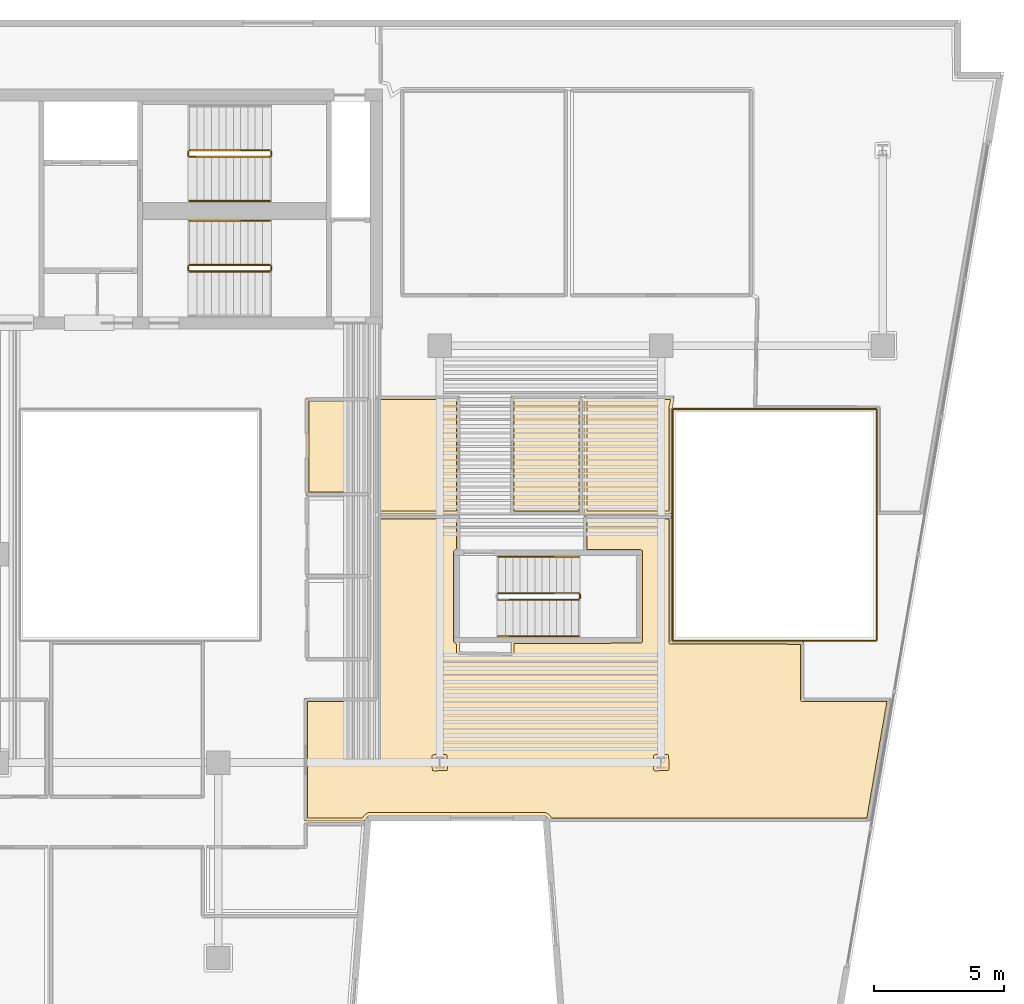
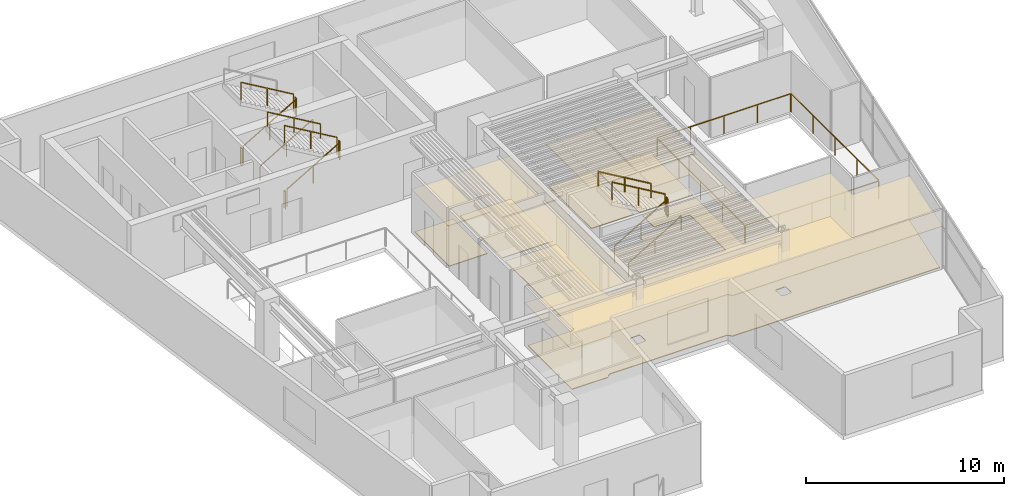
# One storey, part 8 of 9: 19 railings, 10 coverings.
"""IFC4 building model written with IfcOpenShell, lengths in metres."""

import ifcopenshell
import ifcopenshell.guid

model = None  # the IFC model being written
_history = None  # IfcOwnerHistory: only IFC2X3 demands one
_inside = {}  # id of a spatial element -> (the spatial element, [elements in it])
_under = {}  # id of a project, library or spatial element -> (it, [spatial elements below it])
_declared = {}  # id of a project -> (the project, [libraries it declares])
_typed = {}  # id of a type object -> (the type object, [elements of that type])
_made_of = {}  # id of a material, layer set ... -> (it, [elements and type objects made of it])


def new_model(schema):
    """Start an empty IFC model of exactly this schema.

    Asked for "IFC4X3", IfcOpenShell would pick the latest addendum, in which some entities
    have other attributes; the version numbers below select the first issue.
    IFC2X3 requires an IfcOwnerHistory on every rooted entity: one is made here for all.
    """
    global model, _history
    if schema == "IFC4X3":
        model = ifcopenshell.file(schema_version=(4, 3, 0, 0))
    else:
        model = ifcopenshell.file(schema=schema)
    _inside.clear()
    _under.clear()
    _declared.clear()
    _typed.clear()
    _made_of.clear()
    _history = None
    if model.schema == "IFC2X3":
        org = make("IfcOrganization", Name="unknown")
        user = make(
            "IfcPersonAndOrganization",
            ThePerson=make("IfcPerson", FamilyName="unknown"),
            TheOrganization=org,
        )
        app = make(
            "IfcApplication",
            ApplicationDeveloper=org,
            Version="unknown",
            ApplicationFullName="unknown",
            ApplicationIdentifier="unknown",
        )
        _history = make(
            "IfcOwnerHistory",
            OwningUser=user,
            OwningApplication=app,
            ChangeAction="ADDED",
            CreationDate=0,
        )
    return model


def make(cls, **values):
    """One entity of the class cls with the attributes given. An attribute that is None is left unset."""
    return model.create_entity(
        cls, **{name: value for name, value in values.items() if value is not None}
    )


def rooted(cls, **values):
    """An entity with a GlobalId (a new one), such as an element, a storey or a relation."""
    return make(cls, GlobalId=ifcopenshell.guid.new(), OwnerHistory=_history, **values)


def si_unit(unit_type, name, prefix=None):
    """IfcSIUnit, for example si_unit("LENGTHUNIT", "METRE", prefix="MILLI")."""
    return make("IfcSIUnit", UnitType=unit_type, Prefix=prefix, Name=name)


def assignment(units):
    """IfcUnitAssignment: the units of a project."""
    return None if units is None else make("IfcUnitAssignment", Units=units)


def point(xyz):
    """IfcCartesianPoint."""
    return None if xyz is None else make("IfcCartesianPoint", Coordinates=xyz)


def direction(xyz):
    """IfcDirection."""
    return None if xyz is None else make("IfcDirection", DirectionRatios=xyz)


def frame(location, z_axis=None, x_axis=None):
    """IfcAxis2Placement3D, a coordinate frame: its origin and axes. An axis left out is left unset."""
    return make(
        "IfcAxis2Placement3D",
        Location=point(location),
        Axis=direction(z_axis),
        RefDirection=direction(x_axis),
    )


def frame_2d(location, x_axis=None):
    """IfcAxis2Placement2D, a coordinate frame in the plane: its origin and x axis."""
    return make(
        "IfcAxis2Placement2D", Location=point(location), RefDirection=direction(x_axis)
    )


def origin():
    """The frame at (0, 0, 0) with its axes left unset."""
    return frame((0.0, 0.0, 0.0))


def origin_2d():
    """The frame at (0, 0) in the plane with its x axis left unset."""
    return frame_2d((0.0, 0.0))


def place(relative_to, where):
    """IfcLocalPlacement: puts the frame where relative to a parent placement (None: the world)."""
    return make(
        "IfcLocalPlacement", PlacementRelTo=relative_to, RelativePlacement=where
    )


def context(
    kind, dimensions, precision=None, world=None, true_north=None, identifier=None
):
    """IfcGeometricRepresentationContext, for example the 3D "Model" context."""
    return make(
        "IfcGeometricRepresentationContext",
        ContextIdentifier=identifier,
        ContextType=kind,
        CoordinateSpaceDimension=dimensions,
        Precision=precision,
        WorldCoordinateSystem=world,
        TrueNorth=true_north,
    )


def subcontext(parent, identifier, kind, view, scale=None):
    """IfcGeometricRepresentationSubContext, for example "Body" below "Model"."""
    return make(
        "IfcGeometricRepresentationSubContext",
        ContextIdentifier=identifier,
        ContextType=kind,
        ParentContext=parent,
        TargetScale=scale,
        TargetView=view,
    )


def project(units=None, contexts=None):
    """IfcProject with its units and contexts."""
    return rooted(
        "IfcProject",
        Name="project",
        RepresentationContexts=contexts,
        UnitsInContext=assignment(units),
    )


def spatial(cls, under=None, at=None, **own):
    """A site, building, storey or space (cls), placed at a placement, below another one or the project."""
    s = rooted(cls, ObjectPlacement=at, **own)
    if under is not None:
        _under.setdefault(under.id(), (under, []))[1].append(s)
    return s


def polyline(points):
    """IfcPolyline through the points."""
    return make("IfcPolyline", Points=[point(p) for p in points])


def profile(cls, at=None, kind="AREA", **sizes):
    """A parametric profile (cls). Its sizes go by their IFC names, for example OverallWidth=200.0."""
    return make(cls, ProfileType=kind, Position=at, **sizes)


def rectangle(**sizes):
    """IfcRectangleProfileDef."""
    return profile("IfcRectangleProfileDef", **sizes)


def outline(outer, holes=None, kind="AREA"):
    """IfcArbitraryClosedProfileDef: a profile drawn as a closed curve; with holes, ...WithVoids."""
    if holes is None:
        return make("IfcArbitraryClosedProfileDef", ProfileType=kind, OuterCurve=outer)
    return make(
        "IfcArbitraryProfileDefWithVoids",
        ProfileType=kind,
        OuterCurve=outer,
        InnerCurves=holes,
    )


def extrude(swept, where, along, depth):
    """IfcExtrudedAreaSolid: the profile swept, set in the frame where, extruded along a direction by depth."""
    return make(
        "IfcExtrudedAreaSolid",
        SweptArea=swept,
        Position=where,
        ExtrudedDirection=direction(along),
        Depth=depth,
    )


def shape(context_of_items, identifier, shape_type, items):
    """IfcShapeRepresentation: the items that make up one representation, for example the "Body"."""
    return make(
        "IfcShapeRepresentation",
        ContextOfItems=context_of_items,
        RepresentationIdentifier=identifier,
        RepresentationType=shape_type,
        Items=items,
    )


def material(Name=None, Category=None):
    """IfcMaterial."""
    return make("IfcMaterial", Name=Name, Category=Category)


def layer(
    of_material, thickness, ventilated=None, Name=None, Category=None, Priority=None
):
    """IfcMaterialLayer: one layer of a wall or slab, of a material (None: an air gap)."""
    return make(
        "IfcMaterialLayer",
        Material=of_material,
        LayerThickness=thickness,
        IsVentilated=ventilated,
        Name=Name,
        Category=Category,
        Priority=Priority,
    )


def layer_set(layers, Name=None):
    """IfcMaterialLayerSet."""
    return make("IfcMaterialLayerSet", MaterialLayers=layers, LayerSetName=Name)


def made_of(thing, what):
    """Note that an element or type object is made of a material, layer set ...; save() writes the relation."""
    if what is not None:
        _made_of.setdefault(what.id(), (what, []))[1].append(thing)
    return thing


def type_object(cls, material=None, **own):
    """A type object (cls), such as IfcWallType, which elements share."""
    return made_of(rooted(cls, **own), material)


def element(
    cls,
    number,
    at=None,
    inside=None,
    cuts=None,
    type_object=None,
    material=None,
    context=None,
    identifier="Body",
    shape_type=None,
    held_by="IfcProductDefinitionShape",
    body=None,
    shapes=None,
    **own,
):
    """One element of the class cls, such as IfcWall. Its Tag is "e" and its number.

    at: its placement. inside: the storey or other place that contains it. cuts: it is an
    opening in that element (IfcRelVoidsElement). A single representation is given by context,
    identifier, shape_type and body (its items); several are given by shapes. held_by: the class
    of the entity that holds the representations. save() writes the other relations.
    """
    e = rooted(cls, Tag="e%d" % number, ObjectPlacement=at, **own)
    if body is not None:
        shapes = [shape(context, identifier, shape_type, body)]
    if shapes is not None:
        e.Representation = make(held_by, Representations=shapes)
    if inside is not None:
        _inside.setdefault(inside.id(), (inside, []))[1].append(e)
    if cuts is not None:
        rooted(
            "IfcRelVoidsElement", RelatingBuildingElement=cuts, RelatedOpeningElement=e
        )
    if type_object is not None:
        _typed.setdefault(type_object.id(), (type_object, []))[1].append(e)
    return made_of(e, material)


def aggregate(whole, parts):
    """IfcRelAggregates: a whole, such as a stair, and the parts it consists of."""
    return rooted("IfcRelAggregates", RelatingObject=whole, RelatedObjects=parts)


def save(model, path):
    """Write the relations noted so far, then the file.

    IfcRelAggregates (storeys below a building ...), IfcRelContainedInSpatialStructure (elements
    in a storey), IfcRelDefinesByType, IfcRelAssociatesMaterial and IfcRelDeclares: one each for
    every whole, place, type object, material and project.
    """
    for whole, parts in _under.values():
        aggregate(whole, parts)
    for where, things in _inside.values():
        rooted(
            "IfcRelContainedInSpatialStructure",
            RelatedElements=things,
            RelatingStructure=where,
        )
    for kind, things in _typed.values():
        rooted("IfcRelDefinesByType", RelatedObjects=things, RelatingType=kind)
    for what, things in _made_of.values():
        rooted("IfcRelAssociatesMaterial", RelatedObjects=things, RelatingMaterial=what)
    for by, libraries in _declared.values():
        rooted("IfcRelDeclares", RelatingContext=by, RelatedDefinitions=libraries)
    model.write(path)


model = new_model("IFC4")

# Units and contexts
model_context = context("Model", 3, precision=1e-05, world=origin(), true_north=direction((0.0, 1.0)))
body_context = subcontext(model_context, "Body", "Model", "MODEL_VIEW")
ifc_project = project(units=[si_unit("LENGTHUNIT", "METRE"), si_unit("AREAUNIT", "SQUARE_METRE"), si_unit("VOLUMEUNIT", "CUBIC_METRE"), si_unit("PLANEANGLEUNIT", "RADIAN"), si_unit("MASSUNIT", "GRAM", prefix="KILO")], contexts=[model_context])

# Site, building, storey
site_placement = place(None, origin())
site = spatial("IfcSite", under=ifc_project, at=site_placement, CompositionType="ELEMENT")
building_placement = place(site_placement, origin())
building = spatial("IfcBuilding", under=site, at=building_placement, Name="Caeloran Harvest Quay", CompositionType="ELEMENT")
storey_placement = place(building_placement, frame((0.0, 0.0, 227.199951171875)))
storey = spatial("IfcBuildingStorey", under=building, at=storey_placement, Name="L54", CompositionType="ELEMENT", Elevation=227.199951171875)

# Coverings
ifc_material_1 = material(Name="Perforated Mineral-Fibre Acoustic Ceiling Tile", Category="ceiling")
ifc_layer_1 = layer(ifc_material_1, 0.0400390625, Name="Perforated Mineral-Fibre Acoustic Ceiling Tile")
ifc_layer_set_1 = layer_set([ifc_layer_1], Name="Perforated Mineral-Fibre Acoustic Ceiling Tile")
covering_type_1 = type_object("IfcCoveringType", Name="COV-CEILING-ACOUSTIC", PredefinedType="CEILING", material=ifc_layer_set_1)
covering_1_placement = place(storey_placement, frame((0.0, 0.0, 2.60009765625)))
element("IfcCovering", 1, at=covering_1_placement, inside=storey, type_object=covering_type_1, Name="L54 Male Washroom WC Acoustic Ceiling", PredefinedType="CEILING", context=body_context, shape_type="SweptSolid", body=[
    extrude(outline(polyline([(22.840087890625, 28.989990234375), (22.840087890625, 25.260009765625), (20.360107421875, 25.260009765625), (20.360107421875, 28.989990234375), (22.840087890625, 28.989990234375)])), origin(), (0.0, 0.0, 1.0), 0.0400390625),
])
covering_2_placement = place(storey_placement, frame((0.0, 0.0, 2.60009765625)))
element("IfcCovering", 2, at=covering_2_placement, inside=storey, type_object=covering_type_1, Name="Founder Fireside Salon Lounge Acoustic Ceiling", PredefinedType="CEILING", context=body_context, shape_type="SweptSolid", body=[
    extrude(outline(polyline([(33.159912109375, 23.06005859375), (31.0400390625, 23.06005859375), (31.0400390625, 24.4599609375), (34.409912109375, 24.4599609375), (34.409912109375, 19.659912109375), (39.4599609375, 19.659912109375), (39.4599609375, 17.4599609375), (42.801025390625, 17.4599609375), (41.993408203125, 12.760009765625), (29.727294921875, 12.760009765625), (29.64111328125, 12.887451171875), (29.54150390625, 12.969970703125), (22.78515625, 12.969970703125), (22.685302734375, 12.887451171875), (22.59912109375, 12.760009765625), (20.31005859375, 12.760009765625), (20.31005859375, 17.4599609375), (23.0400390625, 17.4599609375), (23.0400390625, 24.4599609375), (26.260009765625, 24.4599609375), (26.260009765625, 23.145751953125), (26.139892578125, 23.05078125), (26.139892578125, 19.69921875), (26.260009765625, 19.604248046875), (26.260009765625, 19.239501953125), (28.239990234375, 19.210693359375), (28.239990234375, 19.68994140625), (33.159912109375, 19.68994140625), (33.159912109375, 23.06005859375)])), origin(), (0.0, 0.0, 1.0), 0.0400390625),
])
covering_3_placement = place(storey_placement, frame((0.0, 0.0, 2.60009765625)))
element("IfcCovering", 3, at=covering_3_placement, inside=storey, type_object=covering_type_1, Name="Refreshment Dining Kitchen Acoustic Ceiling", PredefinedType="CEILING", context=body_context, shape_type="SweptSolid", body=[
    extrude(outline(polyline([(23.0400390625, 29.06005859375), (26.260009765625, 29.06005859375), (26.260009765625, 24.5400390625), (23.0400390625, 24.5400390625), (23.0400390625, 29.06005859375)])), origin(), (0.0, 0.0, 1.0), 0.0400390625),
])
covering_4_placement = place(storey_placement, frame((0.0, 0.0, 2.60009765625)))
element("IfcCovering", 4, at=covering_4_placement, inside=storey, type_object=covering_type_1, Name="Secure Vault Laboratory Acoustic Ceiling", PredefinedType="CEILING", context=body_context, shape_type="SweptSolid", body=[
    extrude(outline(polyline([(28.239990234375, 24.5400390625), (28.239990234375, 29.06005859375), (30.9599609375, 29.06005859375), (30.9599609375, 24.5400390625), (28.239990234375, 24.5400390625)])), origin(), (0.0, 0.0, 1.0), 0.0400390625),
])
covering_5_placement = place(storey_placement, frame((0.0, 0.0, 2.60009765625)))
element("IfcCovering", 5, at=covering_5_placement, inside=storey, type_object=covering_type_1, Name="Clean-Tech Venture Studio 9 Acoustic Ceiling", PredefinedType="CEILING", context=body_context, shape_type="SweptSolid", body=[
    extrude(outline(polyline([(34.409912109375, 28.592041015625), (34.409912109375, 24.5400390625), (31.0400390625, 24.5400390625), (31.0400390625, 29.06005859375), (34.49853515625, 29.06005859375), (34.429931640625, 28.596923828125), (34.409912109375, 28.592041015625)])), origin(), (0.0, 0.0, 1.0), 0.0400390625),
])
ifc_material_2 = material(Name="Calcium-Sulphate Raised Access Floor and Terrazzo Finish", Category="flooring")
ifc_layer_2 = layer(ifc_material_2, 0.050048828125, Name="Calcium-Sulphate Raised Access Floor and Terrazzo Finish")
ifc_layer_set_2 = layer_set([ifc_layer_2], Name="Calcium-Sulphate Raised Access Floor and Terrazzo Finish")
covering_type_2 = type_object("IfcCoveringType", Name="COV-FLOOR-RAISED", PredefinedType="FLOORING", material=ifc_layer_set_2)
covering_6_placement = place(storey_placement, origin())
element("IfcCovering", 6, at=covering_6_placement, inside=storey, type_object=covering_type_2, Name="L54 Male Washroom WC Raised Finish Flooring", PredefinedType="FLOORING", context=body_context, shape_type="SweptSolid", body=[
    extrude(outline(polyline([(22.719970703125, 28.8701171875), (22.719970703125, 25.3798828125), (20.47998046875, 25.3798828125), (20.47998046875, 28.8701171875), (22.719970703125, 28.8701171875)])), origin(), (0.0, 0.0, 1.0), 0.050048828125),
])
covering_7_placement = place(storey_placement, origin())
element("IfcCovering", 7, at=covering_7_placement, inside=storey, type_object=covering_type_2, Name="Founder Fireside Salon Lounge Raised Finish Flooring", PredefinedType="FLOORING", context=body_context, shape_type="SweptSolid", body=[
    extrude(outline(polyline([(22.54296875, 12.8798828125), (20.429931640625, 12.8798828125), (20.429931640625, 17.340087890625), (23.080078125, 17.340087890625), (23.15380859375, 17.389404296875), (23.159912109375, 24.340087890625), (26.139892578125, 24.340087890625), (26.139892578125, 23.20361328125), (26.038818359375, 23.12158203125), (26.02001953125, 23.070068359375), (26.02001953125, 19.679931640625), (26.038818359375, 19.62841796875), (26.139892578125, 19.54638671875), (26.140380859375, 19.192138671875), (26.19580078125, 19.123779296875), (28.294677734375, 19.09130859375), (28.359619140625, 19.162109375), (28.360107421875, 19.570068359375), (33.244384765625, 19.58349609375), (33.280029296875, 19.64990234375), (33.27392578125, 23.130615234375), (33.199951171875, 23.179931640625), (31.159912109375, 23.179931640625), (31.159912109375, 24.340087890625), (34.2900390625, 24.340087890625), (34.2900390625, 19.6201171875), (34.319091796875, 19.55810546875), (39.340087890625, 19.5400390625), (39.340087890625, 17.419921875), (39.37548828125, 17.353515625), (42.65869140625, 17.340087890625), (41.89208984375, 12.8798828125), (29.783447265625, 12.8798828125), (29.709716796875, 12.990478515625), (29.559326171875, 13.090087890625), (22.76708984375, 13.090087890625), (22.616943359375, 12.990478515625), (22.54296875, 12.8798828125)]), holes=[polyline([(34.302490234375, 14.754150390625), (34.284912109375, 15.288818359375), (34.230712890625, 15.317626953125), (33.726318359375, 15.2998046875), (33.697021484375, 15.238037109375), (33.715087890625, 14.711181640625), (33.777099609375, 14.681884765625), (34.273681640625, 14.7001953125), (34.302490234375, 14.754150390625)]), polyline([(25.802490234375, 14.754150390625), (25.784912109375, 15.288818359375), (25.730712890625, 15.317626953125), (25.226318359375, 15.2998046875), (25.197021484375, 15.238037109375), (25.215087890625, 14.711181640625), (25.277099609375, 14.681884765625), (25.773681640625, 14.7001953125), (25.802490234375, 14.754150390625)])]), origin(), (0.0, 0.0, 1.0), 0.050048828125),
])
covering_8_placement = place(storey_placement, origin())
element("IfcCovering", 8, at=covering_8_placement, inside=storey, type_object=covering_type_2, Name="Refreshment Dining Kitchen Raised Finish Flooring", PredefinedType="FLOORING", context=body_context, shape_type="SweptSolid", body=[
    extrude(outline(polyline([(23.159912109375, 28.93994140625), (26.139892578125, 28.93994140625), (26.139892578125, 24.659912109375), (23.159912109375, 24.659912109375), (23.159912109375, 28.93994140625)])), origin(), (0.0, 0.0, 1.0), 0.050048828125),
])
covering_9_placement = place(storey_placement, origin())
element("IfcCovering", 9, at=covering_9_placement, inside=storey, type_object=covering_type_2, Name="Secure Vault Laboratory Raised Finish Flooring", PredefinedType="FLOORING", context=body_context, shape_type="SweptSolid", body=[
    extrude(outline(polyline([(28.360107421875, 24.659912109375), (28.360107421875, 28.93994140625), (30.840087890625, 28.93994140625), (30.840087890625, 24.659912109375), (28.360107421875, 24.659912109375)])), origin(), (0.0, 0.0, 1.0), 0.050048828125),
])
covering_10_placement = place(storey_placement, origin())
element("IfcCovering", 10, at=covering_10_placement, inside=storey, type_object=covering_type_2, Name="Clean-Tech Venture Studio 9 Raised Finish Flooring", PredefinedType="FLOORING", context=body_context, shape_type="SweptSolid", body=[
    extrude(outline(polyline([(34.359619140625, 28.93994140625), (34.2900390625, 28.60009765625), (34.2900390625, 24.659912109375), (31.159912109375, 24.659912109375), (31.159912109375, 28.93994140625), (34.359619140625, 28.93994140625)])), origin(), (0.0, 0.0, 1.0), 0.050048828125),
])

# Railings
ifc_material_3 = material(Name="Powder-Coated Steel Post and Laminated Glass Guardrail", Category="steel")
ifc_layer_3 = layer(ifc_material_3, 0.06005859375, Name="Powder-Coated Steel Post and Laminated Glass Guardrail")
ifc_layer_set_3 = layer_set([ifc_layer_3], Name="Powder-Coated Steel Post and Laminated Glass Guardrail")
railing_type_1 = type_object("IfcRailingType", Name="GUARD-ATRIUM-1150", PredefinedType="GUARDRAIL", material=ifc_layer_set_3)
railing_1_placement = place(storey_placement, frame((34.4619140625, 19.679931640625, 0.0)))
element("IfcRailing", 11, at=railing_1_placement, inside=storey, type_object=railing_type_1, Name="L54 East Botanical Lightwell Guardrail Seg 1", PredefinedType="GUARDRAIL", context=body_context, shape_type="SweptSolid", body=[
    extrude(rectangle(XDim=0.048095703125, YDim=0.048095703125, at=origin_2d()), frame((0.0, 0.0, 1.1259765625), z_axis=(1.0, 0.0, 0.0), x_axis=(0.0, 1.0, 0.0)), (0.0, 0.0, 1.0), 7.776123046875),
    extrude(rectangle(XDim=0.0419921875, YDim=0.0419921875, at=origin_2d()), origin(), (0.0, 0.0, 1.0), 1.101806640625),
    extrude(rectangle(XDim=0.0419921875, YDim=0.0419921875, at=origin_2d()), frame((1.944091796875, 0.0, 0.0)), (0.0, 0.0, 1.0), 1.101806640625),
    extrude(rectangle(XDim=0.0419921875, YDim=0.0419921875, at=origin_2d()), frame((3.88818359375, 0.0, 0.0)), (0.0, 0.0, 1.0), 1.101806640625),
    extrude(rectangle(XDim=0.0419921875, YDim=0.0419921875, at=origin_2d()), frame((5.83203125, 0.0, 0.0)), (0.0, 0.0, 1.0), 1.101806640625),
    extrude(rectangle(XDim=0.0419921875, YDim=0.0419921875, at=origin_2d()), frame((7.776123046875, 0.0, 0.0)), (0.0, 0.0, 1.0), 1.101806640625),
])
railing_2_placement = place(storey_placement, frame((42.27001953125, 19.7119140625, 0.0)))
element("IfcRailing", 12, at=railing_2_placement, inside=storey, type_object=railing_type_1, Name="L54 East Botanical Lightwell Guardrail Seg 2", PredefinedType="GUARDRAIL", context=body_context, shape_type="SweptSolid", body=[
    extrude(rectangle(XDim=0.048095703125, YDim=0.048095703125, at=origin_2d()), frame((0.0, 0.0, 1.1259765625), z_axis=(0.0, 1.0, 0.0), x_axis=(-1.0, 0.0, 0.0)), (0.0, 0.0, 1.0), 8.826171875),
    extrude(rectangle(XDim=0.0419921875, YDim=0.0419921875, at=origin_2d()), origin(), (0.0, 0.0, 1.0), 1.101806640625),
    extrude(rectangle(XDim=0.0419921875, YDim=0.0419921875, at=origin_2d()), frame((0.0, 2.20654296875, 0.0)), (0.0, 0.0, 1.0), 1.101806640625),
    extrude(rectangle(XDim=0.0419921875, YDim=0.0419921875, at=origin_2d()), frame((0.0, 4.4130859375, 0.0)), (0.0, 0.0, 1.0), 1.101806640625),
    extrude(rectangle(XDim=0.0419921875, YDim=0.0419921875, at=origin_2d()), frame((0.0, 6.61962890625, 0.0)), (0.0, 0.0, 1.0), 1.101806640625),
    extrude(rectangle(XDim=0.0419921875, YDim=0.0419921875, at=origin_2d()), frame((0.0, 8.826171875, 0.0)), (0.0, 0.0, 1.0), 1.101806640625),
])
railing_3_placement = place(storey_placement, frame((42.238037109375, 28.570068359375, 0.0)))
element("IfcRailing", 13, at=railing_3_placement, inside=storey, type_object=railing_type_1, Name="L54 East Botanical Lightwell Guardrail Seg 3", PredefinedType="GUARDRAIL", context=body_context, shape_type="SweptSolid", body=[
    extrude(rectangle(XDim=0.048095703125, YDim=0.048095703125, at=origin_2d()), frame((0.0, 0.0, 1.1259765625), z_axis=(-1.0, 0.0, 0.0), x_axis=(0.0, -1.0, 0.0)), (0.0, 0.0, 1.0), 7.776123046875),
    extrude(rectangle(XDim=0.0419921875, YDim=0.0419921875, at=origin_2d()), origin(), (0.0, 0.0, 1.0), 1.101806640625),
    extrude(rectangle(XDim=0.0419921875, YDim=0.0419921875, at=origin_2d()), frame((-1.944091796875, 0.0, 0.0)), (0.0, 0.0, 1.0), 1.101806640625),
    extrude(rectangle(XDim=0.0419921875, YDim=0.0419921875, at=origin_2d()), frame((-3.88818359375, 0.0, 0.0)), (0.0, 0.0, 1.0), 1.101806640625),
    extrude(rectangle(XDim=0.0419921875, YDim=0.0419921875, at=origin_2d()), frame((-5.83203125, 0.0, 0.0)), (0.0, 0.0, 1.0), 1.101806640625),
    extrude(rectangle(XDim=0.0419921875, YDim=0.0419921875, at=origin_2d()), frame((-7.776123046875, 0.0, 0.0)), (0.0, 0.0, 1.0), 1.101806640625),
])
railing_4_placement = place(storey_placement, frame((34.429931640625, 28.5380859375, 0.0)))
element("IfcRailing", 14, at=railing_4_placement, inside=storey, type_object=railing_type_1, Name="L54 East Botanical Lightwell Guardrail Seg 4", PredefinedType="GUARDRAIL", context=body_context, shape_type="SweptSolid", body=[
    extrude(rectangle(XDim=0.048095703125, YDim=0.048095703125, at=origin_2d()), frame((0.0, 0.0, 1.1259765625), z_axis=(0.0, -1.0, 0.0), x_axis=(1.0, 0.0, 0.0)), (0.0, 0.0, 1.0), 8.826171875),
    extrude(rectangle(XDim=0.0419921875, YDim=0.0419921875, at=origin_2d()), origin(), (0.0, 0.0, 1.0), 1.101806640625),
    extrude(rectangle(XDim=0.0419921875, YDim=0.0419921875, at=origin_2d()), frame((0.0, -2.20654296875, 0.0)), (0.0, 0.0, 1.0), 1.101806640625),
    extrude(rectangle(XDim=0.0419921875, YDim=0.0419921875, at=origin_2d()), frame((0.0, -4.4130859375, 0.0)), (0.0, 0.0, 1.0), 1.101806640625),
    extrude(rectangle(XDim=0.0419921875, YDim=0.0419921875, at=origin_2d()), frame((0.0, -6.61962890625, 0.0)), (0.0, 0.0, 1.0), 1.101806640625),
    extrude(rectangle(XDim=0.0419921875, YDim=0.0419921875, at=origin_2d()), frame((0.0, -8.826171875, 0.0)), (0.0, 0.0, 1.0), 1.101806640625),
])
ifc_material_4 = material(Name="Painted Steel Baluster and Top-Rail Stair Guard", Category="steel")
ifc_layer_4 = layer(ifc_material_4, 0.050048828125, Name="Painted Steel Baluster and Top-Rail Stair Guard")
ifc_layer_set_4 = layer_set([ifc_layer_4], Name="Painted Steel Baluster and Top-Rail Stair Guard")
railing_type_2 = type_object("IfcRailingType", Name="STAIR-GUARD-1100", PredefinedType="GUARDRAIL", material=ifc_layer_set_4)
railing_5_placement = place(storey_placement, frame((15.89990234375, 38.25, 0.16455078125)))
element("IfcRailing", 15, at=railing_5_placement, inside=storey, type_object=railing_type_2, Name="L54 ST-C1 stair guard 1", PredefinedType="GUARDRAIL", context=body_context, shape_type="SweptSolid", body=[
    extrude(rectangle(XDim=0.048095703125, YDim=0.048095703125, at=origin_2d()), frame((0.0, 0.0, 1.076171875), z_axis=(0.862088758681, 0.0, 0.506757310905), x_axis=(0.0, 1.0, 0.0)), (0.0, 0.0, 1.0), 3.57275390625),
    extrude(rectangle(XDim=0.0419921875, YDim=0.0419921875, at=origin_2d()), origin(), (0.0, 0.0, 1.0), 1.052001953125),
    extrude(rectangle(XDim=0.0419921875, YDim=0.0419921875, at=origin_2d()), frame((1.5400390625, 0.0, 0.9052734375)), (0.0, 0.0, 1.0), 1.052001953125),
    extrude(rectangle(XDim=0.0419921875, YDim=0.0419921875, at=origin_2d()), frame((3.080078125, 0.0, 1.810546875)), (0.0, 0.0, 1.0), 1.052001953125),
])
railing_6_placement = place(storey_placement, frame((19.030029296875, 38.300048828125, 1.97509765625)))
element("IfcRailing", 16, at=railing_6_placement, inside=storey, type_object=railing_type_2, Name="L54 ST-C1 stair guard 2", PredefinedType="GUARDRAIL", context=body_context, shape_type="SweptSolid", body=[
    extrude(rectangle(XDim=0.048095703125, YDim=0.048095703125, at=origin_2d()), frame((0.0, 0.0, 1.076171875), z_axis=(0.0, 1.0, 0.0), x_axis=(-1.0, 0.0, 0.0)), (0.0, 0.0, 1.0), 0.14990234375),
    extrude(rectangle(XDim=0.0419921875, YDim=0.0419921875, at=origin_2d()), origin(), (0.0, 0.0, 1.0), 1.052001953125),
    extrude(rectangle(XDim=0.0419921875, YDim=0.0419921875, at=origin_2d()), frame((0.0, 0.14990234375, 0.0)), (0.0, 0.0, 1.0), 1.052001953125),
])
railing_7_placement = place(storey_placement, frame((18.97998046875, 38.5, 2.1396484375)))
element("IfcRailing", 17, at=railing_7_placement, inside=storey, type_object=railing_type_2, Name="L54 ST-C1 stair guard 3", PredefinedType="GUARDRAIL", context=body_context, shape_type="SweptSolid", body=[
    extrude(rectangle(XDim=0.048095703125, YDim=0.048095703125, at=origin_2d()), frame((0.0, 0.0, 1.076171875), z_axis=(-0.862118610829, 0.0, 0.506706523406), x_axis=(0.0, -1.0, 0.0)), (0.0, 0.0, 1.0), 3.57275390625),
    extrude(rectangle(XDim=0.0419921875, YDim=0.0419921875, at=origin_2d()), origin(), (0.0, 0.0, 1.0), 1.052001953125),
    extrude(rectangle(XDim=0.0419921875, YDim=0.0419921875, at=origin_2d()), frame((-1.5400390625, 0.0, 0.9052734375)), (0.0, 0.0, 1.0), 1.052001953125),
    extrude(rectangle(XDim=0.0419921875, YDim=0.0419921875, at=origin_2d()), frame((-3.080078125, 0.0, 1.810302734375)), (0.0, 0.0, 1.0), 1.052001953125),
])
railing_8_placement = place(storey_placement, frame((15.85009765625, 38.300048828125, 0.0)))
element("IfcRailing", 18, at=railing_8_placement, inside=storey, type_object=railing_type_2, Name="L54 ST-C1 stair guard 4", PredefinedType="GUARDRAIL", context=body_context, shape_type="SweptSolid", body=[
    extrude(rectangle(XDim=0.048095703125, YDim=0.048095703125, at=origin_2d()), frame((0.0, 0.0, 1.076171875), z_axis=(0.0, 1.0, 0.0), x_axis=(-1.0, 0.0, 0.0)), (0.0, 0.0, 1.0), 0.14990234375),
    extrude(rectangle(XDim=0.0419921875, YDim=0.0419921875, at=origin_2d()), origin(), (0.0, 0.0, 1.0), 1.052001953125),
    extrude(rectangle(XDim=0.0419921875, YDim=0.0419921875, at=origin_2d()), frame((0.0, 0.14990234375, 0.0)), (0.0, 0.0, 1.0), 1.052001953125),
])
railing_9_placement = place(storey_placement, frame((15.89990234375, 33.85009765625, 0.16455078125)))
element("IfcRailing", 19, at=railing_9_placement, inside=storey, type_object=railing_type_2, Name="L54 ST-C2 stair guard 1", PredefinedType="GUARDRAIL", context=body_context, shape_type="SweptSolid", body=[
    extrude(rectangle(XDim=0.048095703125, YDim=0.048095703125, at=origin_2d()), frame((0.0, 0.0, 1.076171875), z_axis=(0.862088758681, 0.0, 0.506757310905), x_axis=(0.0, 1.0, 0.0)), (0.0, 0.0, 1.0), 3.57275390625),
    extrude(rectangle(XDim=0.0419921875, YDim=0.0419921875, at=origin_2d()), origin(), (0.0, 0.0, 1.0), 1.052001953125),
    extrude(rectangle(XDim=0.0419921875, YDim=0.0419921875, at=origin_2d()), frame((1.5400390625, 0.0, 0.9052734375)), (0.0, 0.0, 1.0), 1.052001953125),
    extrude(rectangle(XDim=0.0419921875, YDim=0.0419921875, at=origin_2d()), frame((3.080078125, 0.0, 1.810546875)), (0.0, 0.0, 1.0), 1.052001953125),
])
railing_10_placement = place(storey_placement, frame((19.030029296875, 33.89990234375, 1.97509765625)))
element("IfcRailing", 20, at=railing_10_placement, inside=storey, type_object=railing_type_2, Name="L54 ST-C2 stair guard 2", PredefinedType="GUARDRAIL", context=body_context, shape_type="SweptSolid", body=[
    extrude(rectangle(XDim=0.048095703125, YDim=0.048095703125, at=origin_2d()), frame((0.0, 0.0, 1.076171875), z_axis=(0.0, 1.0, 0.0), x_axis=(-1.0, 0.0, 0.0)), (0.0, 0.0, 1.0), 0.150146484375),
    extrude(rectangle(XDim=0.0419921875, YDim=0.0419921875, at=origin_2d()), origin(), (0.0, 0.0, 1.0), 1.052001953125),
    extrude(rectangle(XDim=0.0419921875, YDim=0.0419921875, at=origin_2d()), frame((0.0, 0.150146484375, 0.0)), (0.0, 0.0, 1.0), 1.052001953125),
])
railing_11_placement = place(storey_placement, frame((18.97998046875, 34.10009765625, 2.1396484375)))
element("IfcRailing", 21, at=railing_11_placement, inside=storey, type_object=railing_type_2, Name="L54 ST-C2 stair guard 3", PredefinedType="GUARDRAIL", context=body_context, shape_type="SweptSolid", body=[
    extrude(rectangle(XDim=0.048095703125, YDim=0.048095703125, at=origin_2d()), frame((0.0, 0.0, 1.076171875), z_axis=(-0.862118610829, 0.0, 0.506706523406), x_axis=(0.0, -1.0, 0.0)), (0.0, 0.0, 1.0), 3.57275390625),
    extrude(rectangle(XDim=0.0419921875, YDim=0.0419921875, at=origin_2d()), origin(), (0.0, 0.0, 1.0), 1.052001953125),
    extrude(rectangle(XDim=0.0419921875, YDim=0.0419921875, at=origin_2d()), frame((-1.5400390625, 0.0, 0.9052734375)), (0.0, 0.0, 1.0), 1.052001953125),
    extrude(rectangle(XDim=0.0419921875, YDim=0.0419921875, at=origin_2d()), frame((-3.080078125, 0.0, 1.810302734375)), (0.0, 0.0, 1.0), 1.052001953125),
])
railing_12_placement = place(storey_placement, frame((15.85009765625, 33.89990234375, 0.0)))
element("IfcRailing", 22, at=railing_12_placement, inside=storey, type_object=railing_type_2, Name="L54 ST-C2 stair guard 4", PredefinedType="GUARDRAIL", context=body_context, shape_type="SweptSolid", body=[
    extrude(rectangle(XDim=0.048095703125, YDim=0.048095703125, at=origin_2d()), frame((0.0, 0.0, 1.076171875), z_axis=(0.0, 1.0, 0.0), x_axis=(-1.0, 0.0, 0.0)), (0.0, 0.0, 1.0), 0.150146484375),
    extrude(rectangle(XDim=0.0419921875, YDim=0.0419921875, at=origin_2d()), origin(), (0.0, 0.0, 1.0), 1.052001953125),
    extrude(rectangle(XDim=0.0419921875, YDim=0.0419921875, at=origin_2d()), frame((0.0, 0.150146484375, 0.0)), (0.0, 0.0, 1.0), 1.052001953125),
])
railing_13_placement = place(storey_placement, frame((27.75, 21.25, 0.16455078125)))
element("IfcRailing", 23, at=railing_13_placement, inside=storey, type_object=railing_type_2, Name="L54 ST-W1 stair guard 1", PredefinedType="GUARDRAIL", context=body_context, shape_type="SweptSolid", body=[
    extrude(rectangle(XDim=0.048095703125, YDim=0.048095703125, at=origin_2d()), frame((0.0, 0.0, 1.076171875), z_axis=(0.862088758681, 0.0, 0.506757310905), x_axis=(0.0, 1.0, 0.0)), (0.0, 0.0, 1.0), 3.57275390625),
    extrude(rectangle(XDim=0.0419921875, YDim=0.0419921875, at=origin_2d()), origin(), (0.0, 0.0, 1.0), 1.052001953125),
    extrude(rectangle(XDim=0.0419921875, YDim=0.0419921875, at=origin_2d()), frame((1.5400390625, 0.0, 0.9052734375)), (0.0, 0.0, 1.0), 1.052001953125),
    extrude(rectangle(XDim=0.0419921875, YDim=0.0419921875, at=origin_2d()), frame((3.080078125, 0.0, 1.810546875)), (0.0, 0.0, 1.0), 1.052001953125),
])
railing_14_placement = place(storey_placement, frame((30.8798828125, 21.300048828125, 1.97509765625)))
element("IfcRailing", 24, at=railing_14_placement, inside=storey, type_object=railing_type_2, Name="L54 ST-W1 stair guard 2", PredefinedType="GUARDRAIL", context=body_context, shape_type="SweptSolid", body=[
    extrude(rectangle(XDim=0.048095703125, YDim=0.048095703125, at=origin_2d()), frame((0.0, 0.0, 1.076171875), z_axis=(0.0, 1.0, 0.0), x_axis=(-1.0, 0.0, 0.0)), (0.0, 0.0, 1.0), 0.14990234375),
    extrude(rectangle(XDim=0.0419921875, YDim=0.0419921875, at=origin_2d()), origin(), (0.0, 0.0, 1.0), 1.052001953125),
    extrude(rectangle(XDim=0.0419921875, YDim=0.0419921875, at=origin_2d()), frame((0.0, 0.14990234375, 0.0)), (0.0, 0.0, 1.0), 1.052001953125),
])
railing_15_placement = place(storey_placement, frame((30.830078125, 21.5, 2.1396484375)))
element("IfcRailing", 25, at=railing_15_placement, inside=storey, type_object=railing_type_2, Name="L54 ST-W1 stair guard 3", PredefinedType="GUARDRAIL", context=body_context, shape_type="SweptSolid", body=[
    extrude(rectangle(XDim=0.048095703125, YDim=0.048095703125, at=origin_2d()), frame((0.0, 0.0, 1.076171875), z_axis=(-0.862118610829, 0.0, 0.506706523406), x_axis=(0.0, -1.0, 0.0)), (0.0, 0.0, 1.0), 3.57275390625),
    extrude(rectangle(XDim=0.0419921875, YDim=0.0419921875, at=origin_2d()), origin(), (0.0, 0.0, 1.0), 1.052001953125),
    extrude(rectangle(XDim=0.0419921875, YDim=0.0419921875, at=origin_2d()), frame((-1.5400390625, 0.0, 0.9052734375)), (0.0, 0.0, 1.0), 1.052001953125),
    extrude(rectangle(XDim=0.0419921875, YDim=0.0419921875, at=origin_2d()), frame((-3.080078125, 0.0, 1.810302734375)), (0.0, 0.0, 1.0), 1.052001953125),
])
ifc_material_5 = material(Name="Brushed Stainless Steel Grade 304", Category="steel")
ifc_layer_5 = layer(ifc_material_5, 0.050048828125, Name="Brushed Stainless Steel Grade 304")
ifc_layer_set_5 = layer_set([ifc_layer_5], Name="Brushed Stainless Steel Grade 304")
railing_type_3 = type_object("IfcRailingType", Name="STAIR-HANDRAIL-900", PredefinedType="HANDRAIL", material=ifc_layer_set_5)
railing_16_placement = place(storey_placement, frame((15.89990234375, 36.550048828125, 0.16455078125)))
element("IfcRailing", 26, at=railing_16_placement, inside=storey, type_object=railing_type_3, Name="L54 ST-C1 stair handrail 1", PredefinedType="HANDRAIL", context=body_context, shape_type="SweptSolid", body=[
    extrude(rectangle(XDim=0.048095703125, YDim=0.048095703125, at=origin_2d()), frame((0.0, 0.0, 0.8759765625), z_axis=(0.862088758681, 0.0, 0.506757310905), x_axis=(0.0, 1.0, 0.0)), (0.0, 0.0, 1.0), 3.57275390625),
    extrude(rectangle(XDim=0.0419921875, YDim=0.0419921875, at=origin_2d()), origin(), (0.0, 0.0, 1.0), 0.851806640625),
    extrude(rectangle(XDim=0.0419921875, YDim=0.0419921875, at=origin_2d()), frame((1.5400390625, 0.0, 0.9052734375)), (0.0, 0.0, 1.0), 0.851806640625),
    extrude(rectangle(XDim=0.0419921875, YDim=0.0419921875, at=origin_2d()), frame((3.080078125, 0.0, 1.810546875)), (0.0, 0.0, 1.0), 0.851806640625),
])
railing_17_placement = place(storey_placement, frame((18.97998046875, 35.800048828125, 2.1396484375)))
element("IfcRailing", 27, at=railing_17_placement, inside=storey, type_object=railing_type_3, Name="L54 ST-C2 stair handrail 2", PredefinedType="HANDRAIL", context=body_context, shape_type="SweptSolid", body=[
    extrude(rectangle(XDim=0.048095703125, YDim=0.048095703125, at=origin_2d()), frame((0.0, 0.0, 0.8759765625), z_axis=(-0.862118610829, 0.0, 0.506706523406), x_axis=(0.0, -1.0, 0.0)), (0.0, 0.0, 1.0), 3.57275390625),
    extrude(rectangle(XDim=0.0419921875, YDim=0.0419921875, at=origin_2d()), origin(), (0.0, 0.0, 1.0), 0.851806640625),
    extrude(rectangle(XDim=0.0419921875, YDim=0.0419921875, at=origin_2d()), frame((-1.5400390625, 0.0, 0.9052734375)), (0.0, 0.0, 1.0), 0.851806640625),
    extrude(rectangle(XDim=0.0419921875, YDim=0.0419921875, at=origin_2d()), frame((-3.080078125, 0.0, 1.810302734375)), (0.0, 0.0, 1.0), 0.851806640625),
])
railing_18_placement = place(storey_placement, frame((27.75, 19.85009765625, 0.16455078125)))
element("IfcRailing", 28, at=railing_18_placement, inside=storey, type_object=railing_type_3, Name="L54 ST-W1 stair handrail 1", PredefinedType="HANDRAIL", context=body_context, shape_type="SweptSolid", body=[
    extrude(rectangle(XDim=0.048095703125, YDim=0.048095703125, at=origin_2d()), frame((0.0, 0.0, 0.8759765625), z_axis=(0.862088758681, 0.0, 0.506757310905), x_axis=(0.0, 1.0, 0.0)), (0.0, 0.0, 1.0), 3.57275390625),
    extrude(rectangle(XDim=0.0419921875, YDim=0.0419921875, at=origin_2d()), origin(), (0.0, 0.0, 1.0), 0.851806640625),
    extrude(rectangle(XDim=0.0419921875, YDim=0.0419921875, at=origin_2d()), frame((1.5400390625, 0.0, 0.9052734375)), (0.0, 0.0, 1.0), 0.851806640625),
    extrude(rectangle(XDim=0.0419921875, YDim=0.0419921875, at=origin_2d()), frame((3.080078125, 0.0, 1.810546875)), (0.0, 0.0, 1.0), 0.851806640625),
])
railing_19_placement = place(storey_placement, frame((30.830078125, 22.89990234375, 2.1396484375)))
element("IfcRailing", 29, at=railing_19_placement, inside=storey, type_object=railing_type_3, Name="L54 ST-W1 stair handrail 2", PredefinedType="HANDRAIL", context=body_context, shape_type="SweptSolid", body=[
    extrude(rectangle(XDim=0.048095703125, YDim=0.048095703125, at=origin_2d()), frame((0.0, 0.0, 0.8759765625), z_axis=(-0.862118610829, 0.0, 0.506706523406), x_axis=(0.0, -1.0, 0.0)), (0.0, 0.0, 1.0), 3.57275390625),
    extrude(rectangle(XDim=0.0419921875, YDim=0.0419921875, at=origin_2d()), origin(), (0.0, 0.0, 1.0), 0.851806640625),
    extrude(rectangle(XDim=0.0419921875, YDim=0.0419921875, at=origin_2d()), frame((-1.5400390625, 0.0, 0.9052734375)), (0.0, 0.0, 1.0), 0.851806640625),
    extrude(rectangle(XDim=0.0419921875, YDim=0.0419921875, at=origin_2d()), frame((-3.080078125, 0.0, 1.810302734375)), (0.0, 0.0, 1.0), 0.851806640625),
])

save(model, "model.ifc")
